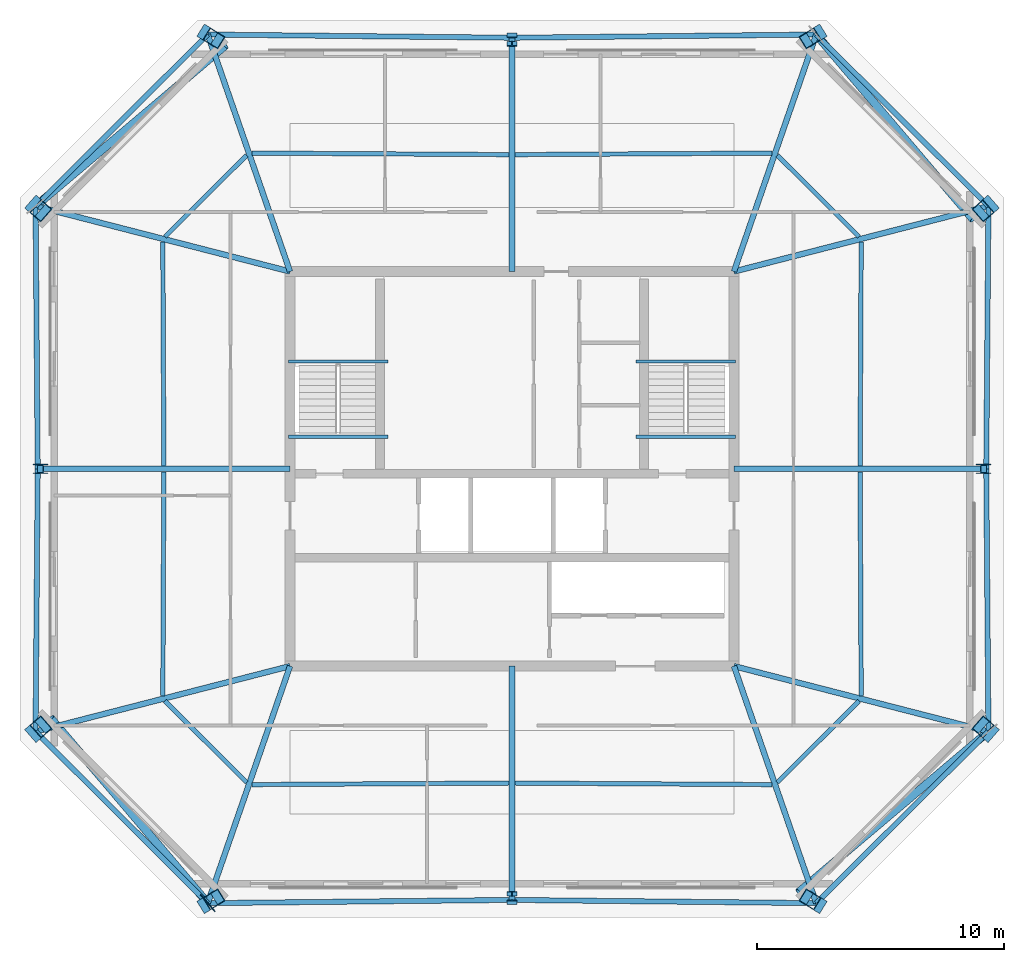
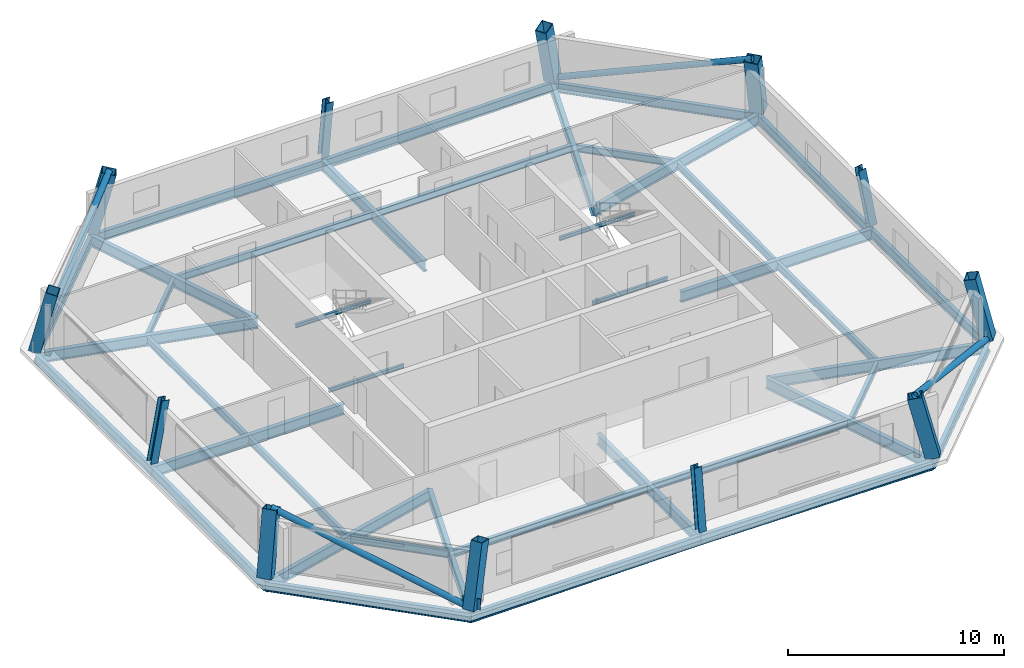
# One storey, part 1 of 6: 40 beams, 12 columns, 4 members, 1 plate.
"""IFC4 building model written with IfcOpenShell, lengths in metres."""

from ifc_helpers import new_model, si_unit, direction, frame, origin, origin_2d, place, context, subcontext, project, spatial, rectangle, hollow_rectangle, hollow_circle, i_section, extrude, material, layer, layer_set, material_profile, profile_set, type_object, element, save


model = new_model("IFC4")

# Units and contexts
model_context = context("Model", 3, precision=1e-05, world=origin(), true_north=direction((0.0, 1.0)))
body_context = subcontext(model_context, "Body", "Model", "MODEL_VIEW")
ifc_project = project(units=[si_unit("LENGTHUNIT", "METRE"), si_unit("AREAUNIT", "SQUARE_METRE"), si_unit("VOLUMEUNIT", "CUBIC_METRE"), si_unit("PLANEANGLEUNIT", "RADIAN"), si_unit("MASSUNIT", "GRAM", prefix="KILO")], contexts=[model_context])

# Site, building, storey
site_placement = place(None, origin())
site = spatial("IfcSite", under=ifc_project, at=site_placement, CompositionType="ELEMENT")
building_placement = place(site_placement, origin())
building = spatial("IfcBuilding", under=site, at=building_placement, Name="Caelvoria Tower", CompositionType="ELEMENT")
storey_placement = place(building_placement, frame((0.0, 0.0, 246.60009765625)))
storey = spatial("IfcBuildingStorey", under=building, at=storey_placement, Name="L65", CompositionType="ELEMENT", Elevation=246.60009765625)

# Columns
ifc_material_1 = material(Name="Structural Steel ASTM A572 Gr.50", Category="steel")
ifc_material_profile_1 = material_profile(ifc_material_1, hollow_rectangle(XDim=0.580078125, YDim=0.699951171875, WallThickness=0.031982421875, at=origin_2d()), Name="Structural Steel ASTM A572 Gr.50")
ifc_profile_set_1 = profile_set([ifc_material_profile_1], Name="BOX700X580X32 - Structural Steel ASTM A572 Gr.50")
column_type_1 = type_object("IfcColumnType", Name="Mega Box Column 700x580x32", PredefinedType="COLUMN", material=ifc_profile_set_1)
for number, where, z_axis, x_axis, name in (
    (1, (33.6630859375, 14.3896484375, 0.0), (0.205244558331, 0.127417395213, 0.970381099709), (-0.527435237424, 0.849595239113, 0.0), "Perimeter Megaframe Column L65-P00"),
    (2, (58.3369140625, 14.3896484375, 0.0), (-0.205244558331, 0.127417395213, 0.970381099709), (-0.527435237424, -0.849595239113, 0.0), "Perimeter Megaframe Column L65-P02"),
):
    element("IfcColumn", number, at=place(storey_placement, frame(where, z_axis=z_axis, x_axis=x_axis)), inside=storey, type_object=column_type_1, Name=name, PredefinedType="COLUMN", context=body_context, shape_type="SweptSolid", body=[
        extrude(hollow_rectangle(XDim=0.580078125, YDim=0.699951171875, WallThickness=0.031982421875, at=origin_2d()), origin(), (0.0, 0.0, 1.0), 3.475830078125),
    ])
for number, where, z_axis, x_axis, name in (
    (3, (65.319580078125, 21.34765625, 0.0), (-0.177670579794, 0.155655183327, 0.971701923935), (0.730885754555, -0.640320734295, 0.236210438002), "Perimeter Megaframe Column L65-P03"),
    (4, (65.319580078125, 42.65234375, 0.0), (-0.177670579794, -0.155655183327, 0.971701923935), (0.730885754555, 0.640320734295, 0.236210438002), "Perimeter Megaframe Column L65-P05"),
):
    element("IfcColumn", number, at=place(storey_placement, frame(where, z_axis=z_axis, x_axis=x_axis)), inside=storey, type_object=column_type_1, Name=name, PredefinedType="COLUMN", context=body_context, shape_type="SweptSolid", body=[
        extrude(hollow_rectangle(XDim=0.580078125, YDim=0.699951171875, WallThickness=0.031982421875, at=origin_2d()), origin(), (0.0, 0.0, 1.0), 3.470947265625),
    ])
for number, where, z_axis, x_axis, name in (
    (5, (58.3369140625, 49.6103515625, 0.0), (-0.205244558331, -0.127417395213, 0.970381099709), (0.527435237424, -0.849595239113, 0.0), "Perimeter Megaframe Column L65-P06"),
    (6, (33.6630859375, 49.6103515625, 0.0), (0.205244558331, -0.127417395213, 0.970381099709), (0.527435237424, 0.849595239113, 0.0), "Perimeter Megaframe Column L65-P08"),
):
    element("IfcColumn", number, at=place(storey_placement, frame(where, z_axis=z_axis, x_axis=x_axis)), inside=storey, type_object=column_type_1, Name=name, PredefinedType="COLUMN", context=body_context, shape_type="SweptSolid", body=[
        extrude(hollow_rectangle(XDim=0.580078125, YDim=0.699951171875, WallThickness=0.031982421875, at=origin_2d()), origin(), (0.0, 0.0, 1.0), 3.475830078125),
    ])
for number, where, z_axis, x_axis, name in (
    (7, (26.680419921875, 42.65234375, 0.0), (0.177670579794, -0.155655183327, 0.971701923935), (-0.730885754555, 0.640320734295, 0.236210438002), "Perimeter Megaframe Column L65-P09"),
    (8, (26.680419921875, 21.34765625, 0.0), (0.177670579794, 0.155655183327, 0.971701923935), (-0.730885754555, -0.640320734295, 0.236210438002), "Perimeter Megaframe Column L65-P11"),
):
    element("IfcColumn", number, at=place(storey_placement, frame(where, z_axis=z_axis, x_axis=x_axis)), inside=storey, type_object=column_type_1, Name=name, PredefinedType="COLUMN", context=body_context, shape_type="SweptSolid", body=[
        extrude(hollow_rectangle(XDim=0.580078125, YDim=0.699951171875, WallThickness=0.031982421875, at=origin_2d()), origin(), (0.0, 0.0, 1.0), 3.470947265625),
    ])
ifc_material_2 = material(Name="Structural Steel ASTM A992 Gr.50", Category="steel")
ifc_material_profile_2 = material_profile(ifc_material_2, i_section(OverallWidth=0.39501953125, OverallDepth=0.3798828125, WebThickness=0.018798828125, FlangeThickness=0.0302734375, FilletRadius=0.02490234375, at=origin_2d()), Name="Structural Steel ASTM A992 Gr.50")
ifc_profile_set_2 = profile_set([ifc_material_profile_2], Name="W360X237 - Structural Steel ASTM A992 Gr.50")
column_type_2 = type_object("IfcColumnType", Name="Summit Frame Column W360X237", PredefinedType="COLUMN", material=ifc_profile_set_2)
column_1_placement = place(storey_placement, frame((46.0, 14.52001953125, 0.0), z_axis=(0.0, 0.128283388035, 0.991737552155), x_axis=(-1.0, 0.0, 0.0)))
element("IfcColumn", 9, at=column_1_placement, inside=storey, type_object=column_type_2, Name="Perimeter Megaframe Column L65-P01", PredefinedType="COLUMN", context=body_context, shape_type="SweptSolid", body=[
    extrude(i_section(OverallWidth=0.39501953125, OverallDepth=0.3798828125, WebThickness=0.018798828125, FlangeThickness=0.0302734375, FilletRadius=0.02490234375, at=origin_2d()), origin(), (0.0, 0.0, 1.0), 3.40087890625),
])
column_2_placement = place(storey_placement, frame((65.22998046875, 32.0, 0.0), z_axis=(-0.178966909192, 0.0, 0.983855093708), x_axis=(0.983855093708, 0.0, 0.178966909192)))
element("IfcColumn", 10, at=column_2_placement, inside=storey, type_object=column_type_2, Name="Perimeter Megaframe Column L65-P04", PredefinedType="COLUMN", context=body_context, shape_type="SweptSolid", body=[
    extrude(i_section(OverallWidth=0.39501953125, OverallDepth=0.3798828125, WebThickness=0.018798828125, FlangeThickness=0.0302734375, FilletRadius=0.02490234375, at=origin_2d()), origin(), (0.0, 0.0, 1.0), 3.42822265625),
])
column_3_placement = place(storey_placement, frame((46.0, 49.47998046875, 0.0), z_axis=(0.0, -0.128283388035, 0.991737552155), x_axis=(1.0, 0.0, 0.0)))
element("IfcColumn", 11, at=column_3_placement, inside=storey, type_object=column_type_2, Name="Perimeter Megaframe Column L65-P07", PredefinedType="COLUMN", context=body_context, shape_type="SweptSolid", body=[
    extrude(i_section(OverallWidth=0.39501953125, OverallDepth=0.3798828125, WebThickness=0.018798828125, FlangeThickness=0.0302734375, FilletRadius=0.02490234375, at=origin_2d()), origin(), (0.0, 0.0, 1.0), 3.40087890625),
])
column_4_placement = place(storey_placement, frame((26.77001953125, 32.0, 0.0), z_axis=(0.178966909192, 0.0, 0.983855093708), x_axis=(-0.983855093708, 0.0, 0.178966909192)))
element("IfcColumn", 12, at=column_4_placement, inside=storey, type_object=column_type_2, Name="Perimeter Megaframe Column L65-P10", PredefinedType="COLUMN", context=body_context, shape_type="SweptSolid", body=[
    extrude(i_section(OverallWidth=0.39501953125, OverallDepth=0.3798828125, WebThickness=0.018798828125, FlangeThickness=0.0302734375, FilletRadius=0.02490234375, at=origin_2d()), origin(), (0.0, 0.0, 1.0), 3.42822265625),
])

# Beams
ifc_material_profile_3 = material_profile(ifc_material_2, i_section(OverallWidth=0.134033203125, OverallDepth=0.2099609375, WebThickness=0.00634765625, FlangeThickness=0.01025390625, FilletRadius=0.010009765625, at=origin_2d()), Name="Structural Steel ASTM A992 Gr.50")
ifc_profile_set_3 = profile_set([ifc_material_profile_3], Name="W200X31.3 - Structural Steel ASTM A992 Gr.50")
beam_type_1 = type_object("IfcBeamType", Name="Canopy Edge Trim Beam W200X31.3", PredefinedType="BEAM", material=ifc_profile_set_3)
for number, where, z_axis, x_axis, name in (
    (13, (36.929931640625, 36.35009765625, 1.494873046875), (1.0, 0.0, 0.0), (0.0, 1.0, 0.0), "ST-01 Half-Landing Support Beam L65"),
    (14, (36.929931640625, 33.300048828125, -0.30517578125), (1.0, 0.0, 0.0), (0.0, 1.0, 0.0), "ST-01 Floor-Landing Support Beam L65"),
    (15, (51.030029296875, 36.35009765625, 1.494873046875), (1.0, 0.0, 0.0), (0.0, 1.0, 0.0), "ST-02 Half-Landing Support Beam L65"),
    (16, (51.030029296875, 33.300048828125, -0.30517578125), (1.0, 0.0, 0.0), (0.0, 1.0, 0.0), "ST-02 Floor-Landing Support Beam L65"),
):
    element("IfcBeam", number, at=place(storey_placement, frame(where, z_axis=z_axis, x_axis=x_axis)), inside=storey, type_object=beam_type_1, Name=name, PredefinedType="BEAM", context=body_context, shape_type="SweptSolid", body=[
        extrude(i_section(OverallWidth=0.134033203125, OverallDepth=0.2099609375, WebThickness=0.00634765625, FlangeThickness=0.01025390625, FilletRadius=0.010009765625, at=origin_2d()), origin(), (0.0, 0.0, 1.0), 4.0400390625),
    ])
ifc_material_profile_4 = material_profile(ifc_material_2, i_section(OverallWidth=0.22802734375, OverallDepth=0.60302734375, WebThickness=0.010498046875, FlangeThickness=0.014892578125, FilletRadius=0.01806640625, at=origin_2d()), Name="Structural Steel ASTM A992 Gr.50")
ifc_profile_set_4 = profile_set([ifc_material_profile_4], Name="W610X101 - Structural Steel ASTM A992 Gr.50")
beam_type_2 = type_object("IfcBeamType", Name="Primary Floor Girder W610X101", PredefinedType="BEAM", material=ifc_profile_set_4)
beam_1_placement = place(storey_placement, frame((37.0, 24.0, -0.526611328125), z_axis=(-0.32801049917, -0.944674077359, 0.0), x_axis=(0.944674077359, -0.32801049917, 0.0)))
element("IfcBeam", 17, at=beam_1_placement, inside=storey, type_object=beam_type_2, Name="Primary Floor Girder L65-00", PredefinedType="BEAM", context=body_context, shape_type="SweptSolid", body=[
    extrude(i_section(OverallWidth=0.22802734375, OverallDepth=0.60302734375, WebThickness=0.010498046875, FlangeThickness=0.014892578125, FilletRadius=0.01806640625, at=origin_2d()), origin(), (0.0, 0.0, 1.0), 10.173095703125),
])
beam_2_placement = place(storey_placement, frame((46.0, 24.0, -0.526611328125), z_axis=(0.0, -1.0, 0.0), x_axis=(1.0, 0.0, 0.0)))
element("IfcBeam", 18, at=beam_2_placement, inside=storey, type_object=beam_type_2, Name="Primary Floor Girder L65-01", PredefinedType="BEAM", context=body_context, shape_type="SweptSolid", body=[
    extrude(i_section(OverallWidth=0.22802734375, OverallDepth=0.60302734375, WebThickness=0.010498046875, FlangeThickness=0.014892578125, FilletRadius=0.01806640625, at=origin_2d()), origin(), (0.0, 0.0, 1.0), 9.47998046875),
])
beam_3_placement = place(storey_placement, frame((55.0, 24.0, -0.526611328125), z_axis=(0.32801049917, -0.944674077359, 0.0), x_axis=(0.944674077359, 0.32801049917, 0.0)))
element("IfcBeam", 19, at=beam_3_placement, inside=storey, type_object=beam_type_2, Name="Primary Floor Girder L65-02", PredefinedType="BEAM", context=body_context, shape_type="SweptSolid", body=[
    extrude(i_section(OverallWidth=0.22802734375, OverallDepth=0.60302734375, WebThickness=0.010498046875, FlangeThickness=0.014892578125, FilletRadius=0.01806640625, at=origin_2d()), origin(), (0.0, 0.0, 1.0), 10.173095703125),
])
beam_4_placement = place(storey_placement, frame((55.0, 24.0, -0.526611328125), z_axis=(0.968521506415, -0.248929892964, 0.0), x_axis=(0.248929892964, 0.968521506415, 0.0)))
element("IfcBeam", 20, at=beam_4_placement, inside=storey, type_object=beam_type_2, Name="Primary Floor Girder L65-03", PredefinedType="BEAM", context=body_context, shape_type="SweptSolid", body=[
    extrude(i_section(OverallWidth=0.22802734375, OverallDepth=0.60302734375, WebThickness=0.010498046875, FlangeThickness=0.014892578125, FilletRadius=0.01806640625, at=origin_2d()), origin(), (0.0, 0.0, 1.0), 10.655029296875),
])
beam_5_placement = place(storey_placement, frame((55.0, 32.0, -0.526611328125), z_axis=(1.0, 0.0, 0.0), x_axis=(0.0, 1.0, 0.0)))
element("IfcBeam", 21, at=beam_5_placement, inside=storey, type_object=beam_type_2, Name="Primary Floor Girder L65-04", PredefinedType="BEAM", context=body_context, shape_type="SweptSolid", body=[
    extrude(i_section(OverallWidth=0.22802734375, OverallDepth=0.60302734375, WebThickness=0.010498046875, FlangeThickness=0.014892578125, FilletRadius=0.01806640625, at=origin_2d()), origin(), (0.0, 0.0, 1.0), 10.22998046875),
])
beam_6_placement = place(storey_placement, frame((55.0, 40.0, -0.526611328125), z_axis=(0.968521506415, 0.248929892964, 0.0), x_axis=(-0.248929892964, 0.968521506415, 0.0)))
element("IfcBeam", 22, at=beam_6_placement, inside=storey, type_object=beam_type_2, Name="Primary Floor Girder L65-05", PredefinedType="BEAM", context=body_context, shape_type="SweptSolid", body=[
    extrude(i_section(OverallWidth=0.22802734375, OverallDepth=0.60302734375, WebThickness=0.010498046875, FlangeThickness=0.014892578125, FilletRadius=0.01806640625, at=origin_2d()), origin(), (0.0, 0.0, 1.0), 10.655029296875),
])
beam_7_placement = place(storey_placement, frame((55.0, 40.0, -0.526611328125), z_axis=(0.32801049917, 0.944674077359, 0.0), x_axis=(-0.944674077359, 0.32801049917, 0.0)))
element("IfcBeam", 23, at=beam_7_placement, inside=storey, type_object=beam_type_2, Name="Primary Floor Girder L65-06", PredefinedType="BEAM", context=body_context, shape_type="SweptSolid", body=[
    extrude(i_section(OverallWidth=0.22802734375, OverallDepth=0.60302734375, WebThickness=0.010498046875, FlangeThickness=0.014892578125, FilletRadius=0.01806640625, at=origin_2d()), origin(), (0.0, 0.0, 1.0), 10.173095703125),
])
beam_8_placement = place(storey_placement, frame((46.0, 40.0, -0.526611328125), z_axis=(0.0, 1.0, 0.0), x_axis=(-1.0, 0.0, 0.0)))
element("IfcBeam", 24, at=beam_8_placement, inside=storey, type_object=beam_type_2, Name="Primary Floor Girder L65-07", PredefinedType="BEAM", context=body_context, shape_type="SweptSolid", body=[
    extrude(i_section(OverallWidth=0.22802734375, OverallDepth=0.60302734375, WebThickness=0.010498046875, FlangeThickness=0.014892578125, FilletRadius=0.01806640625, at=origin_2d()), origin(), (0.0, 0.0, 1.0), 9.47998046875),
])
beam_9_placement = place(storey_placement, frame((37.0, 40.0, -0.526611328125), z_axis=(-0.32801049917, 0.944674077359, 0.0), x_axis=(-0.944674077359, -0.32801049917, 0.0)))
element("IfcBeam", 25, at=beam_9_placement, inside=storey, type_object=beam_type_2, Name="Primary Floor Girder L65-08", PredefinedType="BEAM", context=body_context, shape_type="SweptSolid", body=[
    extrude(i_section(OverallWidth=0.22802734375, OverallDepth=0.60302734375, WebThickness=0.010498046875, FlangeThickness=0.014892578125, FilletRadius=0.01806640625, at=origin_2d()), origin(), (0.0, 0.0, 1.0), 10.173095703125),
])
beam_10_placement = place(storey_placement, frame((37.0, 40.0, -0.526611328125), z_axis=(-0.968521506415, 0.248929892964, 0.0), x_axis=(-0.248929892964, -0.968521506415, 0.0)))
element("IfcBeam", 26, at=beam_10_placement, inside=storey, type_object=beam_type_2, Name="Primary Floor Girder L65-09", PredefinedType="BEAM", context=body_context, shape_type="SweptSolid", body=[
    extrude(i_section(OverallWidth=0.22802734375, OverallDepth=0.60302734375, WebThickness=0.010498046875, FlangeThickness=0.014892578125, FilletRadius=0.01806640625, at=origin_2d()), origin(), (0.0, 0.0, 1.0), 10.655029296875),
])
beam_11_placement = place(storey_placement, frame((37.0, 32.0, -0.526611328125), z_axis=(-1.0, 0.0, 0.0), x_axis=(0.0, -1.0, 0.0)))
element("IfcBeam", 27, at=beam_11_placement, inside=storey, type_object=beam_type_2, Name="Primary Floor Girder L65-10", PredefinedType="BEAM", context=body_context, shape_type="SweptSolid", body=[
    extrude(i_section(OverallWidth=0.22802734375, OverallDepth=0.60302734375, WebThickness=0.010498046875, FlangeThickness=0.014892578125, FilletRadius=0.01806640625, at=origin_2d()), origin(), (0.0, 0.0, 1.0), 10.22998046875),
])
beam_12_placement = place(storey_placement, frame((37.0, 24.0, -0.526611328125), z_axis=(-0.968521506415, -0.248929892964, 0.0), x_axis=(0.248929892964, -0.968521506415, 0.0)))
element("IfcBeam", 28, at=beam_12_placement, inside=storey, type_object=beam_type_2, Name="Primary Floor Girder L65-11", PredefinedType="BEAM", context=body_context, shape_type="SweptSolid", body=[
    extrude(i_section(OverallWidth=0.22802734375, OverallDepth=0.60302734375, WebThickness=0.010498046875, FlangeThickness=0.014892578125, FilletRadius=0.01806640625, at=origin_2d()), origin(), (0.0, 0.0, 1.0), 10.655029296875),
])
ifc_material_profile_5 = material_profile(ifc_material_2, i_section(OverallWidth=0.177978515625, OverallDepth=0.406982421875, WebThickness=0.0078125, FlangeThickness=0.0126953125, FilletRadius=0.013916015625, at=origin_2d()), Name="Structural Steel ASTM A992 Gr.50")
ifc_profile_set_5 = profile_set([ifc_material_profile_5], Name="W410X60 - Structural Steel ASTM A992 Gr.50")
beam_type_3 = type_object("IfcBeamType", Name="Secondary Floor Beam W410X60", PredefinedType="BEAM", material=ifc_profile_set_5)
for number, where, z_axis, x_axis, name in (
    (29, (35.45654296875, 19.195556640625, -0.4287109375), (0.999981296963, 0.006116021899, 0.0), (-0.006116021899, 0.999981296963, 0.0), "Secondary Floor Beam L65-00"),
    (30, (46.125, 19.25927734375, -0.4287109375), (0.999981296963, -0.006116021899, 0.0), (0.006116021899, 0.999981296963, 0.0), "Secondary Floor Beam L65-01"),
):
    element("IfcBeam", number, at=place(storey_placement, frame(where, z_axis=z_axis, x_axis=x_axis)), inside=storey, type_object=beam_type_3, Name=name, PredefinedType="BEAM", context=body_context, shape_type="SweptSolid", body=[
        extrude(i_section(OverallWidth=0.177978515625, OverallDepth=0.406982421875, WebThickness=0.0078125, FlangeThickness=0.0126953125, FilletRadius=0.013916015625, at=origin_2d()), origin(), (0.0, 0.0, 1.0), 10.418701171875),
    ])
beam_13_placement = place(storey_placement, frame((56.7568359375, 19.282958984375, -0.4287109375), z_axis=(0.708357925601, 0.705853419088, 0.0), x_axis=(-0.705853419088, 0.708357925601, 0.0)))
element("IfcBeam", 31, at=beam_13_placement, inside=storey, type_object=beam_type_3, Name="Secondary Floor Beam L65-02", PredefinedType="BEAM", context=body_context, shape_type="SweptSolid", body=[
    extrude(i_section(OverallWidth=0.177978515625, OverallDepth=0.406982421875, WebThickness=0.0078125, FlangeThickness=0.0126953125, FilletRadius=0.013916015625, at=origin_2d()), origin(), (0.0, 0.0, 1.0), 4.678955078125),
])
for number, where, z_axis, x_axis, name in (
    (32, (60.1591796875, 22.798828125, -0.4287109375), (-0.004814878553, 0.999988408405, 0.0), (-0.999988408405, -0.004814878553, 0.0), "Secondary Floor Beam L65-03"),
    (33, (60.115478515625, 32.125, -0.4287109375), (0.004814878553, 0.999988408405, 0.0), (-0.999988408405, 0.004814878553, 0.0), "Secondary Floor Beam L65-04"),
):
    element("IfcBeam", number, at=place(storey_placement, frame(where, z_axis=z_axis, x_axis=x_axis)), inside=storey, type_object=beam_type_3, Name=name, PredefinedType="BEAM", context=body_context, shape_type="SweptSolid", body=[
        extrude(i_section(OverallWidth=0.177978515625, OverallDepth=0.406982421875, WebThickness=0.0078125, FlangeThickness=0.0126953125, FilletRadius=0.013916015625, at=origin_2d()), origin(), (0.0, 0.0, 1.0), 9.076171875),
    ])
beam_14_placement = place(storey_placement, frame((60.0712890625, 41.414306640625, -0.4287109375), z_axis=(-0.708384014524, 0.705827236628, 0.0), x_axis=(-0.705827236628, -0.708384014524, 0.0)))
element("IfcBeam", 34, at=beam_14_placement, inside=storey, type_object=beam_type_3, Name="Secondary Floor Beam L65-05", PredefinedType="BEAM", context=body_context, shape_type="SweptSolid", body=[
    extrude(i_section(OverallWidth=0.177978515625, OverallDepth=0.406982421875, WebThickness=0.0078125, FlangeThickness=0.0126953125, FilletRadius=0.013916015625, at=origin_2d()), origin(), (0.0, 0.0, 1.0), 4.678955078125),
])
for number, where, z_axis, x_axis, name in (
    (35, (56.54345703125, 44.80419921875, -0.4287109375), (-0.999981440003, -0.006092589736, 0.0), (0.006092589736, -0.999981440003, 0.0), "Secondary Floor Beam L65-06"),
    (36, (45.875, 44.74072265625, -0.4287109375), (-0.999981440003, 0.006092589736, 0.0), (-0.006092589736, -0.999981440003, 0.0), "Secondary Floor Beam L65-07"),
):
    element("IfcBeam", number, at=place(storey_placement, frame(where, z_axis=z_axis, x_axis=x_axis)), inside=storey, type_object=beam_type_3, Name=name, PredefinedType="BEAM", context=body_context, shape_type="SweptSolid", body=[
        extrude(i_section(OverallWidth=0.177978515625, OverallDepth=0.406982421875, WebThickness=0.0078125, FlangeThickness=0.0126953125, FilletRadius=0.013916015625, at=origin_2d()), origin(), (0.0, 0.0, 1.0), 10.418701171875),
    ])
beam_15_placement = place(storey_placement, frame((35.2431640625, 44.716796875, -0.4287109375), z_axis=(-0.708384014524, -0.705827236628, 0.0), x_axis=(0.705827236628, -0.708384014524, 0.0)))
element("IfcBeam", 37, at=beam_15_placement, inside=storey, type_object=beam_type_3, Name="Secondary Floor Beam L65-08", PredefinedType="BEAM", context=body_context, shape_type="SweptSolid", body=[
    extrude(i_section(OverallWidth=0.177978515625, OverallDepth=0.406982421875, WebThickness=0.0078125, FlangeThickness=0.0126953125, FilletRadius=0.013916015625, at=origin_2d()), origin(), (0.0, 0.0, 1.0), 4.678955078125),
])
for number, where, z_axis, x_axis, name in (
    (38, (31.8408203125, 41.201171875, -0.4287109375), (0.004814878553, -0.999988408405, 0.0), (0.999988408405, 0.004814878553, 0.0), "Secondary Floor Beam L65-09"),
    (39, (31.884521484375, 31.875, -0.4287109375), (-0.004814878553, -0.999988408405, 0.0), (0.999988408405, -0.004814878553, 0.0), "Secondary Floor Beam L65-10"),
):
    element("IfcBeam", number, at=place(storey_placement, frame(where, z_axis=z_axis, x_axis=x_axis)), inside=storey, type_object=beam_type_3, Name=name, PredefinedType="BEAM", context=body_context, shape_type="SweptSolid", body=[
        extrude(i_section(OverallWidth=0.177978515625, OverallDepth=0.406982421875, WebThickness=0.0078125, FlangeThickness=0.0126953125, FilletRadius=0.013916015625, at=origin_2d()), origin(), (0.0, 0.0, 1.0), 9.076171875),
    ])
beam_16_placement = place(storey_placement, frame((31.9287109375, 22.585693359375, -0.4287109375), z_axis=(0.708357925601, -0.705853419088, 0.0), x_axis=(0.705853419088, 0.708357925601, 0.0)))
element("IfcBeam", 40, at=beam_16_placement, inside=storey, type_object=beam_type_3, Name="Secondary Floor Beam L65-11", PredefinedType="BEAM", context=body_context, shape_type="SweptSolid", body=[
    extrude(i_section(OverallWidth=0.177978515625, OverallDepth=0.406982421875, WebThickness=0.0078125, FlangeThickness=0.0126953125, FilletRadius=0.013916015625, at=origin_2d()), origin(), (0.0, 0.0, 1.0), 4.678955078125),
])

# Members
ifc_material_profile_6 = material_profile(ifc_material_1, hollow_circle(Radius=0.162109375, WallThickness=0.0126953125, at=origin_2d()), Name="Structural Steel ASTM A572 Gr.50")
ifc_profile_set_6 = profile_set([ifc_material_profile_6], Name="CHS324X12.7 - Structural Steel ASTM A572 Gr.50")
member_type = type_object("IfcMemberType", Name="Summit Perimeter Mega Brace CHS324X12.7", PredefinedType="BRACE", material=ifc_profile_set_6)
member_1_placement = place(storey_placement, frame((65.319580078125, 21.34765625, 0.0), z_axis=(-0.723769305142, -0.612711597151, 0.31739957727), x_axis=(0.646121308968, -0.763234730668, 0.0)))
element("IfcMember", 41, at=member_1_placement, inside=storey, type_object=member_type, Name="Perimeter Chamfer Mega Brace L65 SE", PredefinedType="BRACE", context=body_context, shape_type="SweptSolid", body=[
    extrude(hollow_circle(Radius=0.162109375, WallThickness=0.0126953125, at=origin_2d()), origin(), (0.0, 0.0, 1.0), 10.63330078125),
])
member_2_placement = place(storey_placement, frame((58.3369140625, 49.6103515625, 0.0), z_axis=(0.612167303089, -0.721054434508, 0.324548448625), x_axis=(0.76231949494, 0.647200886614, 0.0)))
element("IfcMember", 42, at=member_2_placement, inside=storey, type_object=member_type, Name="Perimeter Chamfer Mega Brace L65 NE", PredefinedType="BRACE", context=body_context, shape_type="SweptSolid", body=[
    extrude(hollow_circle(Radius=0.162109375, WallThickness=0.0126953125, at=origin_2d()), origin(), (0.0, 0.0, 1.0), 10.399169921875),
])
member_3_placement = place(storey_placement, frame((26.680419921875, 42.65234375, 0.0), z_axis=(0.723769305142, 0.612711597151, 0.31739957727), x_axis=(-0.646121308968, 0.763234730668, 0.0)))
element("IfcMember", 43, at=member_3_placement, inside=storey, type_object=member_type, Name="Perimeter Chamfer Mega Brace L65 NW", PredefinedType="BRACE", context=body_context, shape_type="SweptSolid", body=[
    extrude(hollow_circle(Radius=0.162109375, WallThickness=0.0126953125, at=origin_2d()), origin(), (0.0, 0.0, 1.0), 10.63330078125),
])
member_4_placement = place(storey_placement, frame((33.6630859375, 14.3896484375, 0.0), z_axis=(-0.612167303089, 0.721054434508, 0.324548448625), x_axis=(-0.76231949494, -0.647200886614, 0.0)))
element("IfcMember", 44, at=member_4_placement, inside=storey, type_object=member_type, Name="Perimeter Chamfer Mega Brace L65 SW", PredefinedType="BRACE", context=body_context, shape_type="SweptSolid", body=[
    extrude(hollow_circle(Radius=0.162109375, WallThickness=0.0126953125, at=origin_2d()), origin(), (0.0, 0.0, 1.0), 10.399169921875),
])

# Beams
ifc_material_profile_7 = material_profile(ifc_material_2, i_section(OverallWidth=0.208984375, OverallDepth=0.532958984375, WebThickness=0.01025390625, FlangeThickness=0.015625, FilletRadius=0.01611328125, at=origin_2d()), Name="Structural Steel ASTM A992 Gr.50")
ifc_profile_set_7 = profile_set([ifc_material_profile_7], Name="W530X92 - Structural Steel ASTM A992 Gr.50")
beam_type_4 = type_object("IfcBeamType", Name="Upper Zone Spandrel W530X92", PredefinedType="BEAM", material=ifc_profile_set_7)
for number, where, z_axis, x_axis, name in (
    (45, (33.6630859375, 14.3896484375, -0.49169921875), (0.999944168002, 0.010566971141, 0.0), (-0.010566971141, 0.999944168002, 0.0), "Perimeter Spandrel Girder L65-00"),
    (46, (46.0, 14.52001953125, -0.49169921875), (0.999944168002, -0.010566971141, 0.0), (0.010566971141, 0.999944168002, 0.0), "Perimeter Spandrel Girder L65-01"),
):
    element("IfcBeam", number, at=place(storey_placement, frame(where, z_axis=z_axis, x_axis=x_axis)), inside=storey, type_object=beam_type_4, Name=name, PredefinedType="BEAM", context=body_context, shape_type="SweptSolid", body=[
        extrude(i_section(OverallWidth=0.208984375, OverallDepth=0.532958984375, WebThickness=0.01025390625, FlangeThickness=0.015625, FilletRadius=0.01611328125, at=origin_2d()), origin(), (0.0, 0.0, 1.0), 12.337646484375),
    ])
beam_17_placement = place(storey_placement, frame((58.3369140625, 14.3896484375, -0.49169921875), z_axis=(0.708356400486, 0.705854949612, 0.0), x_axis=(-0.705854949612, 0.708356400486, 0.0)))
element("IfcBeam", 47, at=beam_17_placement, inside=storey, type_object=beam_type_4, Name="Perimeter Spandrel Girder L65-02", PredefinedType="BEAM", context=body_context, shape_type="SweptSolid", body=[
    extrude(i_section(OverallWidth=0.208984375, OverallDepth=0.532958984375, WebThickness=0.01025390625, FlangeThickness=0.015625, FilletRadius=0.01611328125, at=origin_2d()), origin(), (0.0, 0.0, 1.0), 9.857666015625),
])
for number, where, z_axis, x_axis, name in (
    (48, (65.319580078125, 21.34765625, -0.49169921875), (-0.008410960263, 0.999964627248, 0.0), (-0.999964627248, -0.008410960263, 0.0), "Perimeter Spandrel Girder L65-03"),
    (49, (65.22998046875, 32.0, -0.49169921875), (0.008410960263, 0.999964627248, 0.0), (-0.999964627248, 0.008410960263, 0.0), "Perimeter Spandrel Girder L65-04"),
):
    element("IfcBeam", number, at=place(storey_placement, frame(where, z_axis=z_axis, x_axis=x_axis)), inside=storey, type_object=beam_type_4, Name=name, PredefinedType="BEAM", context=body_context, shape_type="SweptSolid", body=[
        extrude(i_section(OverallWidth=0.208984375, OverallDepth=0.532958984375, WebThickness=0.01025390625, FlangeThickness=0.015625, FilletRadius=0.01611328125, at=origin_2d()), origin(), (0.0, 0.0, 1.0), 10.65283203125),
    ])
beam_18_placement = place(storey_placement, frame((65.319580078125, 42.65234375, -0.49169921875), z_axis=(-0.708356400486, 0.705854949612, 0.0), x_axis=(-0.705854949612, -0.708356400486, 0.0)))
element("IfcBeam", 50, at=beam_18_placement, inside=storey, type_object=beam_type_4, Name="Perimeter Spandrel Girder L65-05", PredefinedType="BEAM", context=body_context, shape_type="SweptSolid", body=[
    extrude(i_section(OverallWidth=0.208984375, OverallDepth=0.532958984375, WebThickness=0.01025390625, FlangeThickness=0.015625, FilletRadius=0.01611328125, at=origin_2d()), origin(), (0.0, 0.0, 1.0), 9.857666015625),
])
for number, where, z_axis, x_axis, name in (
    (51, (58.3369140625, 49.6103515625, -0.49169921875), (-0.999944168002, -0.010566971141, 0.0), (0.010566971141, -0.999944168002, 0.0), "Perimeter Spandrel Girder L65-06"),
    (52, (46.0, 49.47998046875, -0.49169921875), (-0.999944168002, 0.010566971141, 0.0), (-0.010566971141, -0.999944168002, 0.0), "Perimeter Spandrel Girder L65-07"),
):
    element("IfcBeam", number, at=place(storey_placement, frame(where, z_axis=z_axis, x_axis=x_axis)), inside=storey, type_object=beam_type_4, Name=name, PredefinedType="BEAM", context=body_context, shape_type="SweptSolid", body=[
        extrude(i_section(OverallWidth=0.208984375, OverallDepth=0.532958984375, WebThickness=0.01025390625, FlangeThickness=0.015625, FilletRadius=0.01611328125, at=origin_2d()), origin(), (0.0, 0.0, 1.0), 12.337646484375),
    ])
beam_19_placement = place(storey_placement, frame((33.6630859375, 49.6103515625, -0.49169921875), z_axis=(-0.708356400486, -0.705854949612, 0.0), x_axis=(0.705854949612, -0.708356400486, 0.0)))
element("IfcBeam", 53, at=beam_19_placement, inside=storey, type_object=beam_type_4, Name="Perimeter Spandrel Girder L65-08", PredefinedType="BEAM", context=body_context, shape_type="SweptSolid", body=[
    extrude(i_section(OverallWidth=0.208984375, OverallDepth=0.532958984375, WebThickness=0.01025390625, FlangeThickness=0.015625, FilletRadius=0.01611328125, at=origin_2d()), origin(), (0.0, 0.0, 1.0), 9.857666015625),
])
for number, where, z_axis, x_axis, name in (
    (54, (26.680419921875, 42.65234375, -0.49169921875), (0.008410960263, -0.999964627248, 0.0), (0.999964627248, 0.008410960263, 0.0), "Perimeter Spandrel Girder L65-09"),
    (55, (26.77001953125, 32.0, -0.49169921875), (-0.008410960263, -0.999964627248, 0.0), (0.999964627248, -0.008410960263, 0.0), "Perimeter Spandrel Girder L65-10"),
):
    element("IfcBeam", number, at=place(storey_placement, frame(where, z_axis=z_axis, x_axis=x_axis)), inside=storey, type_object=beam_type_4, Name=name, PredefinedType="BEAM", context=body_context, shape_type="SweptSolid", body=[
        extrude(i_section(OverallWidth=0.208984375, OverallDepth=0.532958984375, WebThickness=0.01025390625, FlangeThickness=0.015625, FilletRadius=0.01611328125, at=origin_2d()), origin(), (0.0, 0.0, 1.0), 10.65283203125),
    ])
beam_20_placement = place(storey_placement, frame((26.680419921875, 21.34765625, -0.49169921875), z_axis=(0.708356400486, -0.705854949612, 0.0), x_axis=(0.705854949612, 0.708356400486, 0.0)))
element("IfcBeam", 56, at=beam_20_placement, inside=storey, type_object=beam_type_4, Name="Perimeter Spandrel Girder L65-11", PredefinedType="BEAM", context=body_context, shape_type="SweptSolid", body=[
    extrude(i_section(OverallWidth=0.208984375, OverallDepth=0.532958984375, WebThickness=0.01025390625, FlangeThickness=0.015625, FilletRadius=0.01611328125, at=origin_2d()), origin(), (0.0, 0.0, 1.0), 9.857666015625),
])

# Plate
ifc_layer = layer(ifc_material_1, 0.0400390625, Name="Structural Steel ASTM A572 Gr.50")
ifc_layer_set = layer_set([ifc_layer], Name="Megaframe Node Gusset Plate 900x600x40 - Structural Steel ASTM A572 Gr.50")
plate_type = type_object("IfcPlateType", Name="Megaframe Node Gusset Plate 900x600x40", PredefinedType="USERDEFINED", material=ifc_layer_set)
plate_placement = place(storey_placement, frame((33.6630859375, 14.3896484375, 0.019775390625), z_axis=(0.0, 0.0, 1.0), x_axis=(-0.647212972006, 0.762309234411, 0.0)))
element("IfcPlate", 57, at=plate_placement, inside=storey, type_object=plate_type, Name="Chamfer Mega Brace Gusset L65 SW", ObjectType="GUSSET_PLATE", PredefinedType="USERDEFINED", context=body_context, shape_type="SweptSolid", body=[
    extrude(rectangle(XDim=0.89990234375, YDim=0.0400390625, at=origin_2d()), origin(), (0.0, 0.0, 1.0), 0.60009765625),
])

save(model, "model.ifc")
